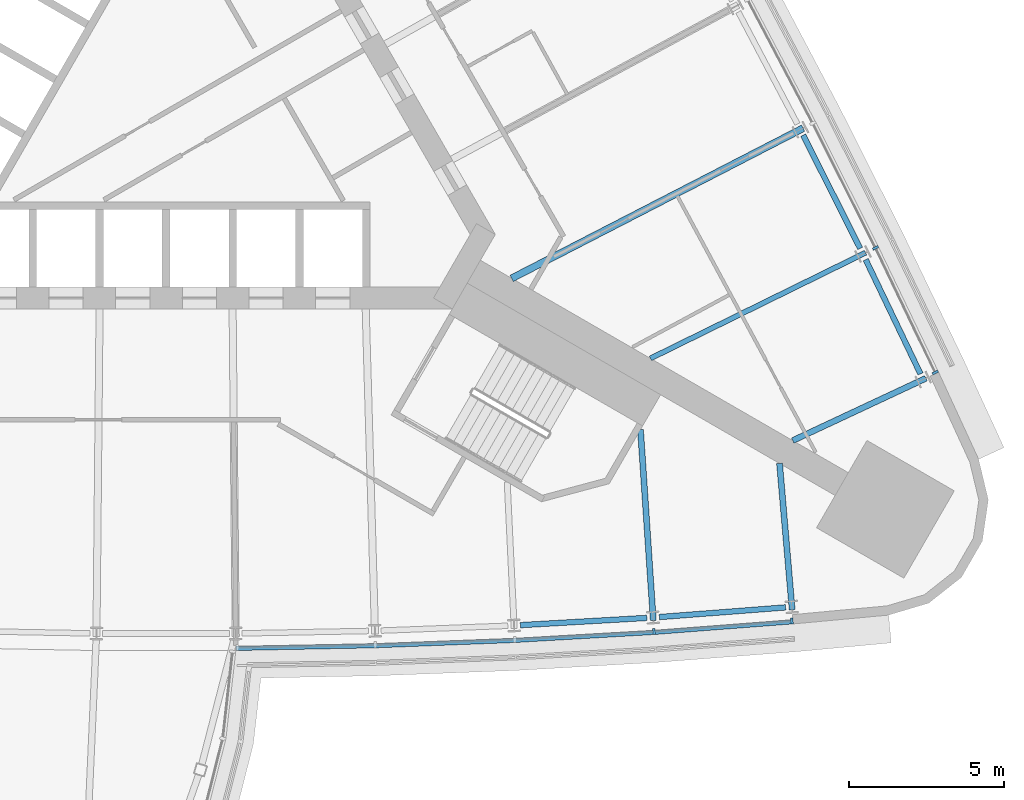
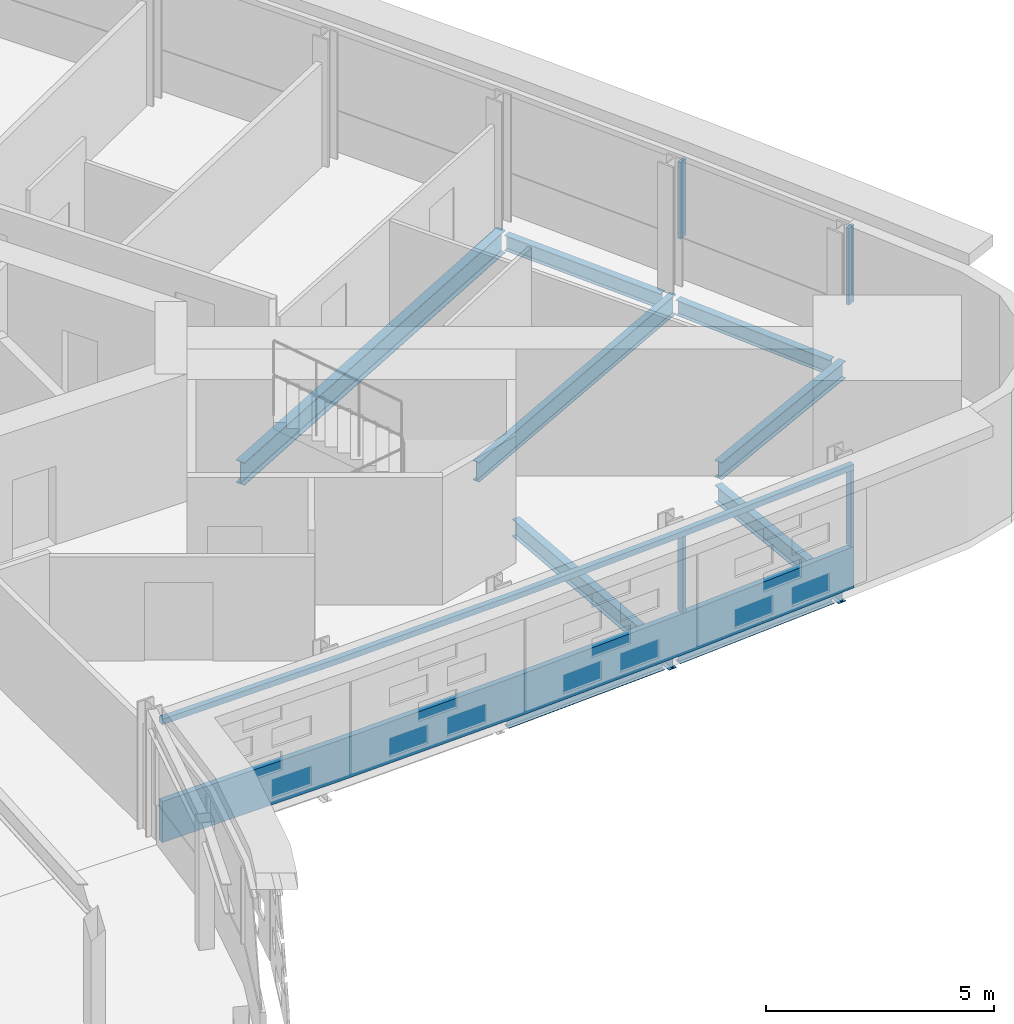
# One storey, part 5 of 16: 9 beams, 6 members, 2 elements without a shape of their own.
"""IFC4 building model written with IfcOpenShell, lengths in metres."""

from ifc_helpers import new_model, si_unit, direction, frame, origin, origin_2d, place, context, subcontext, project, spatial, polyline, rectangle, i_section, outline, extrude, material, material_profile, profile_set, type_object, element, aggregate, save


model = new_model("IFC4")

# Units and contexts
model_context = context("Model", 3, precision=1e-05, world=origin(), true_north=direction((0.0, 1.0)))
body_context = subcontext(model_context, "Body", "Model", "MODEL_VIEW")
ifc_project = project(units=[si_unit("LENGTHUNIT", "METRE"), si_unit("AREAUNIT", "SQUARE_METRE"), si_unit("VOLUMEUNIT", "CUBIC_METRE"), si_unit("PLANEANGLEUNIT", "RADIAN"), si_unit("MASSUNIT", "GRAM", prefix="KILO")], contexts=[model_context])

# Site, building, storey
site_placement = place(None, origin())
site = spatial("IfcSite", under=ifc_project, at=site_placement, CompositionType="ELEMENT")
building_placement = place(site_placement, origin())
building = spatial("IfcBuilding", under=site, at=building_placement, Name="Noor Cloister Tower", CompositionType="ELEMENT")
storey_placement = place(building_placement, frame((0.0, 0.0, 65.39990234375)))
storey = spatial("IfcBuildingStorey", under=building, at=storey_placement, Name="L16", CompositionType="ELEMENT", Elevation=65.39990234375)

# Curtain wall, members
ifc_material_1 = material(Name="Aluminium 6063-T6 anodised", Category="aluminium")
curtain_wall_type = type_object("IfcCurtainWallType", Name="Ribbon curtain wall, lower tower CW1", PredefinedType="NOTDEFINED", material=ifc_material_1)
curtain_wall_1_placement = place(storey_placement, origin())
curtain_wall_1 = element("IfcCurtainWall", 1, at=curtain_wall_1_placement, inside=storey, type_object=curtain_wall_type, Name="CW1 L16 S run 3", PredefinedType="NOTDEFINED")
ifc_material_2 = material(Name="Aluminium 6063-T6 anodised", Category="aluminium")
member_type_1 = type_object("IfcMemberType", Name="Head transom CW1 150", PredefinedType="USERDEFINED", material=ifc_material_2)
member_1_placement = place(storey_placement, frame((0.0, 0.0, 3.150146484375)))
member_1 = element("IfcMember", 2, at=member_1_placement, type_object=member_type_1, Name="CW1 head transom", ObjectType="TRANSOM", PredefinedType="USERDEFINED", context=body_context, shape_type="SweptSolid", body=[
    extrude(outline(polyline([(2.25, -17.944091796875), (6.7490234375, -17.858154296875), (11.24560546875, -17.686279296875), (15.73828125, -17.4287109375), (20.22509765625, -17.085205078125), (20.21435546875, -16.94580078125), (15.72900390625, -17.2890625), (11.239013671875, -17.54638671875), (6.7451171875, -17.71826171875), (2.247314453125, -17.80419921875), (2.25, -17.944091796875)])), origin(), (0.0, 0.0, 1.0), 0.14990234375),
])
ifc_material_3 = material(Name="Aluminium 6063-T6 anodised", Category="aluminium")
ifc_material_profile_1 = material_profile(ifc_material_3, rectangle(XDim=0.199951171875, YDim=0.080078125, at=origin_2d()), Name="200 x 80 mullion")
ifc_profile_set_1 = profile_set([ifc_material_profile_1], Name="Aluminium 6063-T6 anodised")
member_type_2 = type_object("IfcMemberType", Name="Mullion CW1 80 x 200", PredefinedType="MULLION", material=ifc_profile_set_1)
member_2_placement = place(storey_placement, frame((15.731689453125, -17.328857421875, 1.10009765625), z_axis=(0.0, 0.0, 1.0), x_axis=(-0.066787283473, 0.997767236767, 0.0)))
member_2 = element("IfcMember", 3, at=member_2_placement, type_object=member_type_2, Name="CW1 mullion 4", PredefinedType="MULLION", context=body_context, shape_type="SweptSolid", body=[
    extrude(rectangle(XDim=0.199951171875, YDim=0.080078125, at=origin_2d()), origin(), (0.0, 0.0, 1.0), 2.050048828125),
])
member_3_placement = place(storey_placement, frame((20.177490234375, -16.988525390625, 1.10009765625), z_axis=(0.0, 0.0, 1.0), x_axis=(-0.076310930849, 0.997084069591, 0.0)))
member_3 = element("IfcMember", 4, at=member_3_placement, type_object=member_type_2, Name="CW1 mullion 5", PredefinedType="MULLION", context=body_context, shape_type="SweptSolid", body=[
    extrude(rectangle(XDim=0.199951171875, YDim=0.080078125, at=origin_2d()), origin(), (0.0, 0.0, 1.0), 2.050048828125),
])

curtain_wall_2_placement = place(storey_placement, origin())
curtain_wall_2 = element("IfcCurtainWall", 5, at=curtain_wall_2_placement, inside=storey, type_object=curtain_wall_type, Name="CW1 L16 NE run 4", PredefinedType="NOTDEFINED")
member_4_placement = place(storey_placement, frame((24.80126953125, -8.97998046875, 1.10009765625), z_axis=(0.0, 0.0, 1.0), x_axis=(-0.9016555994, -0.432454830094, 0.0)))
member_4 = element("IfcMember", 6, at=member_4_placement, type_object=member_type_2, Name="CW1 mullion 1", PredefinedType="MULLION", context=body_context, shape_type="SweptSolid", body=[
    extrude(rectangle(XDim=0.199951171875, YDim=0.080078125, at=origin_2d()), origin(), (0.0, 0.0, 1.0), 2.050048828125),
])
member_5_placement = place(storey_placement, frame((22.873046875, -4.95947265625, 1.10009765625), z_axis=(0.0, 0.0, 1.0), x_axis=(-0.897485415841, -0.441044134246, 0.0)))
member_5 = element("IfcMember", 7, at=member_5_placement, type_object=member_type_2, Name="CW1 mullion 2", PredefinedType="MULLION", context=body_context, shape_type="SweptSolid", body=[
    extrude(rectangle(XDim=0.199951171875, YDim=0.080078125, at=origin_2d()), origin(), (0.0, 0.0, 1.0), 2.050048828125),
])
aggregate(curtain_wall_2, [member_4, member_5])

# Beams
ifc_material_4 = material(Name="Steel ASTM A992 Gr 50", Category="steel")
ifc_material_profile_2 = material_profile(ifc_material_4, i_section(OverallWidth=0.19091796875, OverallDepth=0.45703125, WebThickness=0.009033203125, FlangeThickness=0.014404296875, FilletRadius=0.01025390625, at=origin_2d()), Name="W460x74")
ifc_profile_set_2 = profile_set([ifc_material_profile_2], Name="Steel ASTM A992 Gr 50")
beam_type_1 = type_object("IfcBeamType", Name="Radial beam W460x74", PredefinedType="BEAM", material=ifc_profile_set_2)
beam_1_placement = place(storey_placement, frame((15.7080078125, -16.976806640625, -0.428466796875), z_axis=(-0.066781591545, 0.99776761775, 0.0), x_axis=(-0.99776761775, -0.066781591545, 0.0)))
element("IfcBeam", 8, at=beam_1_placement, inside=storey, type_object=beam_type_1, Name="Radial beam S 09 L16", PredefinedType="BEAM", context=body_context, shape_type="SweptSolid", body=[
    extrude(i_section(OverallWidth=0.19091796875, OverallDepth=0.45703125, WebThickness=0.009033203125, FlangeThickness=0.014404296875, FilletRadius=0.01025390625, at=origin_2d()), origin(), (0.0, 0.0, 1.0), 6.1708984375),
])
for number, where, z_axis, x_axis, name in (
    (9, (20.186279296875, -16.634033203125, -0.428466796875), (-0.085840752888, 0.996308870353, 0.0), (-0.996308870353, -0.085840752888, 0.0), "Radial beam S 10 L16"),
    (10, (24.49853515625, -9.164794921875, -0.428466796875), (-0.905732710041, -0.423849334035, 0.0), (0.423849334035, -0.905732710041, 0.0), "Radial beam NE 01 L16"),
):
    element("IfcBeam", number, at=place(storey_placement, frame(where, z_axis=z_axis, x_axis=x_axis)), inside=storey, type_object=beam_type_1, Name=name, PredefinedType="BEAM", context=body_context, shape_type="SweptSolid", body=[
        extrude(i_section(OverallWidth=0.19091796875, OverallDepth=0.45703125, WebThickness=0.009033203125, FlangeThickness=0.014404296875, FilletRadius=0.01025390625, at=origin_2d()), origin(), (0.0, 0.0, 1.0), 4.7412109375),
    ])
ifc_material_5 = material(Name="Steel ASTM A992 Gr 50", Category="steel")
ifc_material_profile_3 = material_profile(ifc_material_5, i_section(OverallWidth=0.166015625, OverallDepth=0.528076171875, WebThickness=0.009765625, FlangeThickness=0.013671875, FilletRadius=0.0126953125, at=origin_2d()), Name="W530x74")
ifc_profile_set_3 = profile_set([ifc_material_profile_3], Name="Steel ASTM A992 Gr 50")
beam_type_2 = type_object("IfcBeamType", Name="Radial beam W530x74", PredefinedType="BEAM", material=ifc_profile_set_3)
beam_2_placement = place(storey_placement, frame((22.55615234375, -5.115234375, -0.4638671875), z_axis=(-0.897487674389, -0.441039538273, 0.0), x_axis=(0.441039538273, -0.897487674389, 0.0)))
element("IfcBeam", 11, at=beam_2_placement, inside=storey, type_object=beam_type_2, Name="Radial beam NE 02 L16", PredefinedType="BEAM", context=body_context, shape_type="SweptSolid", body=[
    extrude(i_section(OverallWidth=0.166015625, OverallDepth=0.528076171875, WebThickness=0.009765625, FlangeThickness=0.013671875, FilletRadius=0.0126953125, at=origin_2d()), origin(), (0.0, 0.0, 1.0), 7.732177734375),
])
ifc_material_6 = material(Name="Steel ASTM A992 Gr 50", Category="steel")
ifc_material_profile_4 = material_profile(ifc_material_6, i_section(OverallWidth=0.22802734375, OverallDepth=0.60205078125, WebThickness=0.010498046875, FlangeThickness=0.014892578125, FilletRadius=0.0126953125, at=origin_2d()), Name="W610x101")
ifc_profile_set_4 = profile_set([ifc_material_profile_4], Name="Steel ASTM A992 Gr 50")
beam_type_3 = type_object("IfcBeamType", Name="Radial beam W610x101", PredefinedType="BEAM", material=ifc_profile_set_4)
beam_3_placement = place(storey_placement, frame((20.537109375, -1.103515625, -0.5009765625), z_axis=(-0.888902998101, -0.458095470363, 0.0), x_axis=(0.458095470363, -0.888902998101, 0.0)))
element("IfcBeam", 12, at=beam_3_placement, inside=storey, type_object=beam_type_3, Name="Radial beam NE 03 L16", PredefinedType="BEAM", context=body_context, shape_type="SweptSolid", body=[
    extrude(i_section(OverallWidth=0.22802734375, OverallDepth=0.60205078125, WebThickness=0.010498046875, FlangeThickness=0.014892578125, FilletRadius=0.0126953125, at=origin_2d()), origin(), (0.0, 0.0, 1.0), 10.566162109375),
])

# Member
ifc_material_7 = material(Name="Aluminium 6063-T6 anodised", Category="aluminium")
member_type_3 = type_object("IfcMemberType", Name="Sill transom CW1 1100", PredefinedType="USERDEFINED", material=ifc_material_7)
member_6_placement = place(storey_placement, origin())
member_6 = element("IfcMember", 13, at=member_6_placement, type_object=member_type_3, Name="CW1 sill transom", ObjectType="TRANSOM", PredefinedType="USERDEFINED", context=body_context, shape_type="SweptSolid", body=[
    extrude(outline(polyline([(2.25, -17.944091796875), (6.7490234375, -17.858154296875), (11.24560546875, -17.686279296875), (15.73828125, -17.4287109375), (20.22509765625, -17.085205078125), (20.21435546875, -16.94580078125), (15.72900390625, -17.2890625), (11.239013671875, -17.54638671875), (6.7451171875, -17.71826171875), (2.247314453125, -17.80419921875), (2.25, -17.944091796875)])), origin(), (0.0, 0.0, 1.0), 1.10009765625),
])

aggregate(curtain_wall_1, [member_2, member_3, member_6, member_1])

# Beams
ifc_material_8 = material(Name="Steel ASTM A992 Gr 50", Category="steel")
ifc_material_profile_5 = material_profile(ifc_material_8, i_section(OverallWidth=0.177978515625, OverallDepth=0.406005859375, WebThickness=0.0078125, FlangeThickness=0.0126953125, FilletRadius=0.01025390625, at=origin_2d()), Name="W410x60")
ifc_profile_set_5 = profile_set([ifc_material_profile_5], Name="Steel ASTM A992 Gr 50")
beam_type_4 = type_object("IfcBeamType", Name="Spandrel beam W410x60", PredefinedType="SPANDREL", material=ifc_profile_set_5)
for number, where, z_axis, x_axis, name in (
    (14, (11.421142578125, -17.12548828125, -0.40283203125), (0.998356421162, 0.057310176457, 0.0), (-0.057310176457, 0.998356421162, 0.0), "Spandrel beam S 08 L16"),
    (15, (15.903076171875, -16.864501953125, -0.40283203125), (0.997083939733, 0.076312627572, 0.0), (-0.076312627572, 0.997083939733, 0.0), "Spandrel beam S 09 L16"),
):
    element("IfcBeam", number, at=place(storey_placement, frame(where, z_axis=z_axis, x_axis=x_axis)), inside=storey, type_object=beam_type_4, Name=name, PredefinedType="SPANDREL", context=body_context, shape_type="SweptSolid", body=[
        extrude(i_section(OverallWidth=0.177978515625, OverallDepth=0.406005859375, WebThickness=0.0078125, FlangeThickness=0.0126953125, FilletRadius=0.01025390625, at=origin_2d()), origin(), (0.0, 0.0, 1.0), 4.08544921875),
    ])
beam_4_placement = place(storey_placement, frame((24.3232421875, -9.023681640625, -0.40283203125), z_axis=(-0.432427965781, 0.901668483652, 0.0), x_axis=(-0.901668483652, -0.432427965781, 0.0)))
element("IfcBeam", 16, at=beam_4_placement, inside=storey, type_object=beam_type_4, Name="Spandrel beam NE 01 L16", PredefinedType="SPANDREL", context=body_context, shape_type="SweptSolid", body=[
    extrude(i_section(OverallWidth=0.177978515625, OverallDepth=0.406005859375, WebThickness=0.0078125, FlangeThickness=0.0126953125, FilletRadius=0.01025390625, at=origin_2d()), origin(), (0.0, 0.0, 1.0), 4.085205078125),
])
beam_5_placement = place(storey_placement, frame((22.37841796875, -4.9775390625, -0.40283203125), z_axis=(-0.449626227314, 0.893216802188, 0.0), x_axis=(-0.893216802188, -0.449626227314, 0.0)))
element("IfcBeam", 17, at=beam_5_placement, inside=storey, type_object=beam_type_4, Name="Spandrel beam NE 02 L16", PredefinedType="SPANDREL", context=body_context, shape_type="SweptSolid", body=[
    extrude(i_section(OverallWidth=0.177978515625, OverallDepth=0.406005859375, WebThickness=0.0078125, FlangeThickness=0.0126953125, FilletRadius=0.01025390625, at=origin_2d()), origin(), (0.0, 0.0, 1.0), 4.08544921875),
])

save(model, "model.ifc")
